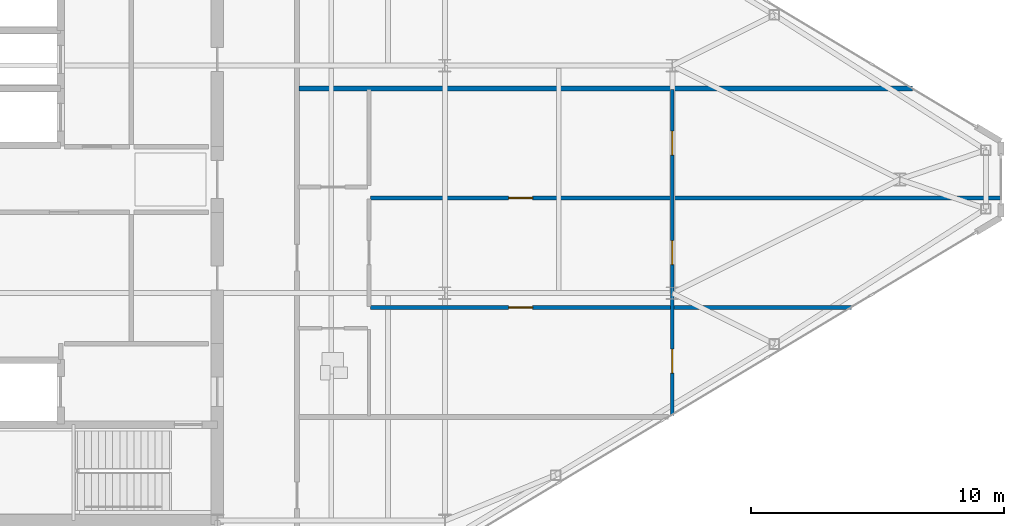
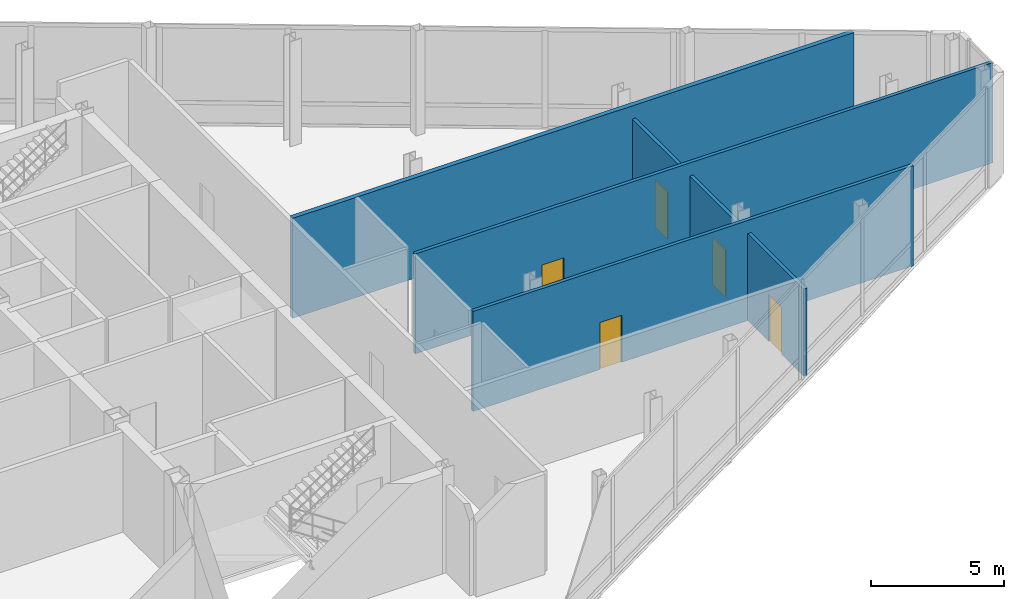
# One storey, part 26 of 30: 5 doors, 4 walls, 5 openings.
"""IFC4 building model written with IfcOpenShell, lengths in metres."""

import ifcopenshell
import ifcopenshell.guid

model = None  # the IFC model being written
_history = None  # IfcOwnerHistory: only IFC2X3 demands one
_inside = {}  # id of a spatial element -> (the spatial element, [elements in it])
_under = {}  # id of a project, library or spatial element -> (it, [spatial elements below it])
_declared = {}  # id of a project -> (the project, [libraries it declares])
_typed = {}  # id of a type object -> (the type object, [elements of that type])
_made_of = {}  # id of a material, layer set ... -> (it, [elements and type objects made of it])


def new_model(schema):
    """Start an empty IFC model of exactly this schema.

    Asked for "IFC4X3", IfcOpenShell would pick the latest addendum, in which some entities
    have other attributes; the version numbers below select the first issue.
    IFC2X3 requires an IfcOwnerHistory on every rooted entity: one is made here for all.
    """
    global model, _history
    if schema == "IFC4X3":
        model = ifcopenshell.file(schema_version=(4, 3, 0, 0))
    else:
        model = ifcopenshell.file(schema=schema)
    _inside.clear()
    _under.clear()
    _declared.clear()
    _typed.clear()
    _made_of.clear()
    _history = None
    if model.schema == "IFC2X3":
        org = make("IfcOrganization", Name="unknown")
        user = make(
            "IfcPersonAndOrganization",
            ThePerson=make("IfcPerson", FamilyName="unknown"),
            TheOrganization=org,
        )
        app = make(
            "IfcApplication",
            ApplicationDeveloper=org,
            Version="unknown",
            ApplicationFullName="unknown",
            ApplicationIdentifier="unknown",
        )
        _history = make(
            "IfcOwnerHistory",
            OwningUser=user,
            OwningApplication=app,
            ChangeAction="ADDED",
            CreationDate=0,
        )
    return model


def make(cls, **values):
    """One entity of the class cls with the attributes given. An attribute that is None is left unset."""
    return model.create_entity(
        cls, **{name: value for name, value in values.items() if value is not None}
    )


def rooted(cls, **values):
    """An entity with a GlobalId (a new one), such as an element, a storey or a relation."""
    return make(cls, GlobalId=ifcopenshell.guid.new(), OwnerHistory=_history, **values)


def si_unit(unit_type, name, prefix=None):
    """IfcSIUnit, for example si_unit("LENGTHUNIT", "METRE", prefix="MILLI")."""
    return make("IfcSIUnit", UnitType=unit_type, Prefix=prefix, Name=name)


def assignment(units):
    """IfcUnitAssignment: the units of a project."""
    return None if units is None else make("IfcUnitAssignment", Units=units)


def point(xyz):
    """IfcCartesianPoint."""
    return None if xyz is None else make("IfcCartesianPoint", Coordinates=xyz)


def direction(xyz):
    """IfcDirection."""
    return None if xyz is None else make("IfcDirection", DirectionRatios=xyz)


def frame(location, z_axis=None, x_axis=None):
    """IfcAxis2Placement3D, a coordinate frame: its origin and axes. An axis left out is left unset."""
    return make(
        "IfcAxis2Placement3D",
        Location=point(location),
        Axis=direction(z_axis),
        RefDirection=direction(x_axis),
    )


def frame_2d(location, x_axis=None):
    """IfcAxis2Placement2D, a coordinate frame in the plane: its origin and x axis."""
    return make(
        "IfcAxis2Placement2D", Location=point(location), RefDirection=direction(x_axis)
    )


def origin():
    """The frame at (0, 0, 0) with its axes left unset."""
    return frame((0.0, 0.0, 0.0))


def place(relative_to, where):
    """IfcLocalPlacement: puts the frame where relative to a parent placement (None: the world)."""
    return make(
        "IfcLocalPlacement", PlacementRelTo=relative_to, RelativePlacement=where
    )


def context(
    kind, dimensions, precision=None, world=None, true_north=None, identifier=None
):
    """IfcGeometricRepresentationContext, for example the 3D "Model" context."""
    return make(
        "IfcGeometricRepresentationContext",
        ContextIdentifier=identifier,
        ContextType=kind,
        CoordinateSpaceDimension=dimensions,
        Precision=precision,
        WorldCoordinateSystem=world,
        TrueNorth=true_north,
    )


def subcontext(parent, identifier, kind, view, scale=None):
    """IfcGeometricRepresentationSubContext, for example "Body" below "Model"."""
    return make(
        "IfcGeometricRepresentationSubContext",
        ContextIdentifier=identifier,
        ContextType=kind,
        ParentContext=parent,
        TargetScale=scale,
        TargetView=view,
    )


def project(units=None, contexts=None):
    """IfcProject with its units and contexts."""
    return rooted(
        "IfcProject",
        Name="project",
        RepresentationContexts=contexts,
        UnitsInContext=assignment(units),
    )


def spatial(cls, under=None, at=None, **own):
    """A site, building, storey or space (cls), placed at a placement, below another one or the project."""
    s = rooted(cls, ObjectPlacement=at, **own)
    if under is not None:
        _under.setdefault(under.id(), (under, []))[1].append(s)
    return s


def profile(cls, at=None, kind="AREA", **sizes):
    """A parametric profile (cls). Its sizes go by their IFC names, for example OverallWidth=200.0."""
    return make(cls, ProfileType=kind, Position=at, **sizes)


def rectangle(**sizes):
    """IfcRectangleProfileDef."""
    return profile("IfcRectangleProfileDef", **sizes)


def extrude(swept, where, along, depth):
    """IfcExtrudedAreaSolid: the profile swept, set in the frame where, extruded along a direction by depth."""
    return make(
        "IfcExtrudedAreaSolid",
        SweptArea=swept,
        Position=where,
        ExtrudedDirection=direction(along),
        Depth=depth,
    )


def shape(context_of_items, identifier, shape_type, items):
    """IfcShapeRepresentation: the items that make up one representation, for example the "Body"."""
    return make(
        "IfcShapeRepresentation",
        ContextOfItems=context_of_items,
        RepresentationIdentifier=identifier,
        RepresentationType=shape_type,
        Items=items,
    )


def source(mapping_origin, context_of_items, identifier, shape_type, items):
    """IfcRepresentationMap: a shape defined once, which mapped items show again and again."""
    return make(
        "IfcRepresentationMap",
        MappingOrigin=mapping_origin,
        MappedRepresentation=shape(context_of_items, identifier, shape_type, items),
    )


def transform(
    local_origin,
    x_axis=None,
    y_axis=None,
    z_axis=None,
    scale=None,
    scale2=None,
    scale3=None,
    uniform=True,
):
    """IfcCartesianTransformationOperator3D, or its non-uniform kind. x_axis, y_axis, z_axis: its Axis1, 2, 3."""
    if uniform:
        return make(
            "IfcCartesianTransformationOperator3D",
            Axis1=direction(x_axis),
            Axis2=direction(y_axis),
            LocalOrigin=point(local_origin),
            Scale=scale,
            Axis3=direction(z_axis),
        )
    return make(
        "IfcCartesianTransformationOperator3DnonUniform",
        Axis1=direction(x_axis),
        Axis2=direction(y_axis),
        LocalOrigin=point(local_origin),
        Scale=scale,
        Axis3=direction(z_axis),
        Scale2=scale2,
        Scale3=scale3,
    )


def mapped(mapping_source, mapping_target):
    """IfcMappedItem: shows the shape of a source again, moved by a transform."""
    return make(
        "IfcMappedItem", MappingSource=mapping_source, MappingTarget=mapping_target
    )


def material(Name=None, Category=None):
    """IfcMaterial."""
    return make("IfcMaterial", Name=Name, Category=Category)


def layer(
    of_material, thickness, ventilated=None, Name=None, Category=None, Priority=None
):
    """IfcMaterialLayer: one layer of a wall or slab, of a material (None: an air gap)."""
    return make(
        "IfcMaterialLayer",
        Material=of_material,
        LayerThickness=thickness,
        IsVentilated=ventilated,
        Name=Name,
        Category=Category,
        Priority=Priority,
    )


def layer_set(layers, Name=None):
    """IfcMaterialLayerSet."""
    return make("IfcMaterialLayerSet", MaterialLayers=layers, LayerSetName=Name)


def made_of(thing, what):
    """Note that an element or type object is made of a material, layer set ...; save() writes the relation."""
    if what is not None:
        _made_of.setdefault(what.id(), (what, []))[1].append(thing)
    return thing


def type_object(cls, material=None, **own):
    """A type object (cls), such as IfcWallType, which elements share."""
    return made_of(rooted(cls, **own), material)


def type_shapes(of_type, sources):
    """Give a type object the sources (RepresentationMaps) that its elements show as mapped items."""
    of_type.RepresentationMaps = sources


def element(
    cls,
    number,
    at=None,
    inside=None,
    cuts=None,
    type_object=None,
    material=None,
    context=None,
    identifier="Body",
    shape_type=None,
    held_by="IfcProductDefinitionShape",
    body=None,
    shapes=None,
    **own,
):
    """One element of the class cls, such as IfcWall. Its Tag is "e" and its number.

    at: its placement. inside: the storey or other place that contains it. cuts: it is an
    opening in that element (IfcRelVoidsElement). A single representation is given by context,
    identifier, shape_type and body (its items); several are given by shapes. held_by: the class
    of the entity that holds the representations. save() writes the other relations.
    """
    e = rooted(cls, Tag="e%d" % number, ObjectPlacement=at, **own)
    if body is not None:
        shapes = [shape(context, identifier, shape_type, body)]
    if shapes is not None:
        e.Representation = make(held_by, Representations=shapes)
    if inside is not None:
        _inside.setdefault(inside.id(), (inside, []))[1].append(e)
    if cuts is not None:
        rooted(
            "IfcRelVoidsElement", RelatingBuildingElement=cuts, RelatedOpeningElement=e
        )
    if type_object is not None:
        _typed.setdefault(type_object.id(), (type_object, []))[1].append(e)
    return made_of(e, material)


def fill(opening, filler):
    """IfcRelFillsElement: the door or window that sits in an opening."""
    return rooted(
        "IfcRelFillsElement",
        RelatingOpeningElement=opening,
        RelatedBuildingElement=filler,
    )


def aggregate(whole, parts):
    """IfcRelAggregates: a whole, such as a stair, and the parts it consists of."""
    return rooted("IfcRelAggregates", RelatingObject=whole, RelatedObjects=parts)


def save(model, path):
    """Write the relations noted so far, then the file.

    IfcRelAggregates (storeys below a building ...), IfcRelContainedInSpatialStructure (elements
    in a storey), IfcRelDefinesByType, IfcRelAssociatesMaterial and IfcRelDeclares: one each for
    every whole, place, type object, material and project.
    """
    for whole, parts in _under.values():
        aggregate(whole, parts)
    for where, things in _inside.values():
        rooted(
            "IfcRelContainedInSpatialStructure",
            RelatedElements=things,
            RelatingStructure=where,
        )
    for kind, things in _typed.values():
        rooted("IfcRelDefinesByType", RelatedObjects=things, RelatingType=kind)
    for what, things in _made_of.values():
        rooted("IfcRelAssociatesMaterial", RelatedObjects=things, RelatingMaterial=what)
    for by, libraries in _declared.values():
        rooted("IfcRelDeclares", RelatingContext=by, RelatedDefinitions=libraries)
    model.write(path)


model = new_model("IFC4")

# Units and contexts
model_context = context("Model", 3, precision=1e-05, world=origin(), true_north=direction((0.0, 1.0)))
body_context = subcontext(model_context, "Body", "Model", "MODEL_VIEW")
ifc_project = project(units=[si_unit("LENGTHUNIT", "METRE"), si_unit("AREAUNIT", "SQUARE_METRE"), si_unit("VOLUMEUNIT", "CUBIC_METRE"), si_unit("PLANEANGLEUNIT", "RADIAN"), si_unit("MASSUNIT", "GRAM", prefix="KILO")], contexts=[model_context])

# Site, building, storey
site_placement = place(None, origin())
site = spatial("IfcSite", under=ifc_project, at=site_placement, CompositionType="ELEMENT")
building_placement = place(site_placement, origin())
building = spatial("IfcBuilding", under=site, at=building_placement, Name="Seokmaru Belvedere", CompositionType="ELEMENT")
storey_placement = place(building_placement, frame((0.0, 0.0, 234.60009765625)))
storey = spatial("IfcBuildingStorey", under=building, at=storey_placement, Name="L62", CompositionType="ELEMENT", Elevation=234.60009765625)

# Wall, opening, door
ifc_material_1 = material(Name="Fire-Rated Gypsum Shaftwall")
ifc_layer_1 = layer(ifc_material_1, 0.14990234375)
ifc_layer_set_1 = layer_set([ifc_layer_1], Name="Fire-Rated Gypsum Shaftwall")
wall_type_1 = type_object("IfcWallType", Name="Apartment Fire-Acoustic Room Partition 150", PredefinedType="PARTITIONING", material=ifc_layer_set_1)
wall_1_placement = place(storey_placement, frame((42.550048828125, -5.070068359375, 0.0), z_axis=(0.0, 0.0, 1.0), x_axis=(1.0, 0.0, 0.0)))
wall_1 = element("IfcWall", 1, at=wall_1_placement, inside=storey, type_object=wall_type_1, Name="L62 Interior Partition 010", PredefinedType="PARTITIONING", context=body_context, shape_type="SweptSolid", body=[
    extrude(rectangle(XDim=19.0400390625, YDim=0.14990234375, at=frame_2d((9.52001953125, 0.0))), origin(), (0.0, 0.0, 1.0), 4.579833984375),
])
opening_1_placement = place(wall_1_placement, frame((5.47509765625, 0.0, 0.0)))
opening_1 = element("IfcOpeningElement", 2, at=opening_1_placement, cuts=wall_1, Name="Opening D05", PredefinedType="OPENING", context=body_context, shape_type="SweptSolid", body=[
    extrude(rectangle(XDim=0.949951171875, YDim=2.14990234375, at=frame_2d((0.47509765625, 1.074951171875))), frame((0.0, 0.0849609375, 0.0), z_axis=(0.0, -1.0, 0.0), x_axis=(1.0, 0.0, 0.0)), (0.0, 0.0, 1.0), 0.169921875),
])
ifc_material_2 = material(Name="Engineered White Oak Timber", Category="wood")
door_type = type_object("IfcDoorType", Name="Apartment Interior Fire-Rated Oak Door 950x2150", OperationType="NOTDEFINED", PredefinedType="DOOR", material=ifc_material_2)
shared_shape = source(origin(), body_context, "Body", "SweptSolid", [
    extrude(rectangle(XDim=0.949951171875, YDim=2.14990234375, at=frame_2d((0.47509765625, 1.074951171875))), frame((0.0, 0.02490234375, 0.0), z_axis=(0.0, -1.0, 0.0), x_axis=(1.0, 0.0, 0.0)), (0.0, 0.0, 1.0), 0.050048828125),
])
type_shapes(door_type, [shared_shape])
door_1_placement = place(opening_1_placement, origin())
door_1 = element("IfcDoor", 3, at=door_1_placement, inside=storey, type_object=door_type, Name="L62 Interior Door 018", OperationType="SINGLE_SWING_RIGHT", OverallHeight=2.14990234375, OverallWidth=0.949951171875, PredefinedType="DOOR", context=body_context, shape_type="MappedRepresentation", body=[
    mapped(shared_shape, transform((0.0, 0.0, 0.0), scale=1.0)),
])
fill(opening_1, door_1)

wall_2_placement = place(storey_placement, frame((42.550048828125, -0.72998046875, 0.0), z_axis=(0.0, 0.0, 1.0), x_axis=(1.0, 0.0, 0.0)))
wall_2 = element("IfcWall", 4, at=wall_2_placement, inside=storey, type_object=wall_type_1, Name="L62 Interior Partition 015", PredefinedType="PARTITIONING", context=body_context, shape_type="SweptSolid", body=[
    extrude(rectangle(XDim=24.98486328125, YDim=0.14990234375, at=frame_2d((12.492431640625, 0.0))), origin(), (0.0, 0.0, 1.0), 4.579833984375),
])
opening_2_placement = place(wall_2_placement, frame((5.47509765625, 0.0, 0.0)))
opening_2 = element("IfcOpeningElement", 5, at=opening_2_placement, cuts=wall_2, Name="Opening D05", PredefinedType="OPENING", context=body_context, shape_type="SweptSolid", body=[
    extrude(rectangle(XDim=0.949951171875, YDim=2.14990234375, at=frame_2d((0.47509765625, 1.074951171875))), frame((0.0, 0.0849609375, 0.0), z_axis=(0.0, -1.0, 0.0), x_axis=(1.0, 0.0, 0.0)), (0.0, 0.0, 1.0), 0.169921875),
])
door_2_placement = place(opening_2_placement, origin())
door_2 = element("IfcDoor", 6, at=door_2_placement, inside=storey, type_object=door_type, Name="L62 Interior Door 019", OperationType="SINGLE_SWING_LEFT", OverallHeight=2.14990234375, OverallWidth=0.949951171875, PredefinedType="DOOR", context=body_context, shape_type="MappedRepresentation", body=[
    mapped(shared_shape, transform((0.0, 0.0, 0.0), scale=1.0)),
])
fill(opening_2, door_2)

# Wall, openings, doors
wall_3_placement = place(storey_placement, frame((54.5, -9.3349609375, 0.0), z_axis=(0.0, 0.0, 1.0), x_axis=(0.0, 1.0, 0.0)))
wall_3 = element("IfcWall", 7, at=wall_3_placement, inside=storey, type_object=wall_type_1, Name="L62 Interior Partition 049", PredefinedType="PARTITIONING", context=body_context, shape_type="SweptSolid", body=[
    extrude(rectangle(XDim=12.885009765625, YDim=0.14990234375, at=frame_2d((6.4423828125, 0.0))), origin(), (0.0, 0.0, 1.0), 3.97998046875),
])
opening_3_placement = place(wall_3_placement, frame((5.9599609375, 0.0, 0.0)))
opening_3 = element("IfcOpeningElement", 8, at=opening_3_placement, cuts=wall_3, Name="Opening D05", PredefinedType="OPENING", context=body_context, shape_type="SweptSolid", body=[
    extrude(rectangle(XDim=0.949951171875, YDim=2.14990234375, at=frame_2d((0.47509765625, 1.074951171875))), frame((0.0, 0.0849609375, 0.0), z_axis=(0.0, -1.0, 0.0), x_axis=(1.0, 0.0, 0.0)), (0.0, 0.0, 1.0), 0.169921875),
])
opening_4_placement = place(wall_3_placement, frame((1.6767578125, 0.0, 0.0)))
opening_4 = element("IfcOpeningElement", 9, at=opening_4_placement, cuts=wall_3, Name="Opening D05", PredefinedType="OPENING", context=body_context, shape_type="SweptSolid", body=[
    extrude(rectangle(XDim=0.949951171875, YDim=2.14990234375, at=frame_2d((0.47509765625, 1.074951171875))), frame((0.0, 0.0849609375, 0.0), z_axis=(0.0, -1.0, 0.0), x_axis=(1.0, 0.0, 0.0)), (0.0, 0.0, 1.0), 0.169921875),
])
opening_5_placement = place(wall_3_placement, frame((10.29345703125, 0.0, 0.0)))
opening_5 = element("IfcOpeningElement", 10, at=opening_5_placement, cuts=wall_3, Name="Opening D05", PredefinedType="OPENING", context=body_context, shape_type="SweptSolid", body=[
    extrude(rectangle(XDim=0.949951171875, YDim=2.14990234375, at=frame_2d((0.47509765625, 1.074951171875))), frame((0.0, 0.0849609375, 0.0), z_axis=(0.0, -1.0, 0.0), x_axis=(1.0, 0.0, 0.0)), (0.0, 0.0, 1.0), 0.169921875),
])
door_3_placement = place(opening_3_placement, origin())
door_3 = element("IfcDoor", 11, at=door_3_placement, inside=storey, type_object=door_type, Name="L62 Interior Door 017", OperationType="SINGLE_SWING_RIGHT", OverallHeight=2.14990234375, OverallWidth=0.949951171875, PredefinedType="DOOR", context=body_context, shape_type="MappedRepresentation", body=[
    mapped(shared_shape, transform((0.0, 0.0, 0.0), scale=1.0)),
])
fill(opening_3, door_3)
door_4_placement = place(opening_4_placement, origin())
door_4 = element("IfcDoor", 12, at=door_4_placement, inside=storey, type_object=door_type, Name="L62 Interior Door 020", OperationType="SINGLE_SWING_LEFT", OverallHeight=2.14990234375, OverallWidth=0.949951171875, PredefinedType="DOOR", context=body_context, shape_type="MappedRepresentation", body=[
    mapped(shared_shape, transform((0.0, 0.0, 0.0), scale=1.0)),
])
fill(opening_4, door_4)
door_5_placement = place(opening_5_placement, origin())
door_5 = element("IfcDoor", 13, at=door_5_placement, inside=storey, type_object=door_type, Name="L62 Interior Door 021", OperationType="SINGLE_SWING_RIGHT", OverallHeight=2.14990234375, OverallWidth=0.949951171875, PredefinedType="DOOR", context=body_context, shape_type="MappedRepresentation", body=[
    mapped(shared_shape, transform((0.0, 0.0, 0.0), scale=1.0)),
])
fill(opening_5, door_5)

# Wall
ifc_layer_2 = layer(ifc_material_1, 0.199951171875)
ifc_layer_set_2 = layer_set([ifc_layer_2], Name="Fire-Rated Gypsum Shaftwall")
wall_type_2 = type_object("IfcWallType", Name="Inter-Tenancy Fire Compartment Partition 200", PredefinedType="PARTITIONING", material=ifc_layer_set_2)
wall_4_placement = place(storey_placement, frame((39.72998046875, 3.60009765625, 0.0), z_axis=(0.0, 0.0, 1.0), x_axis=(1.0, 0.0, 0.0)))
element("IfcWall", 14, at=wall_4_placement, inside=storey, type_object=wall_type_2, Name="L62 Interior Partition 020", PredefinedType="PARTITIONING", context=body_context, shape_type="SweptSolid", body=[
    extrude(rectangle(XDim=24.280029296875, YDim=0.199951171875, at=frame_2d((12.14013671875, 0.0))), origin(), (0.0, 0.0, 1.0), 4.579833984375),
])

save(model, "model.ifc")
